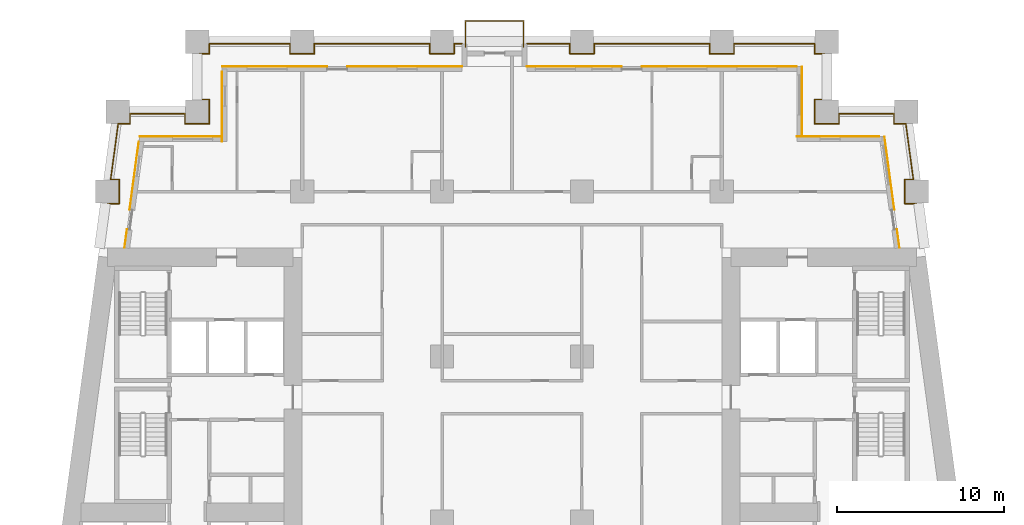
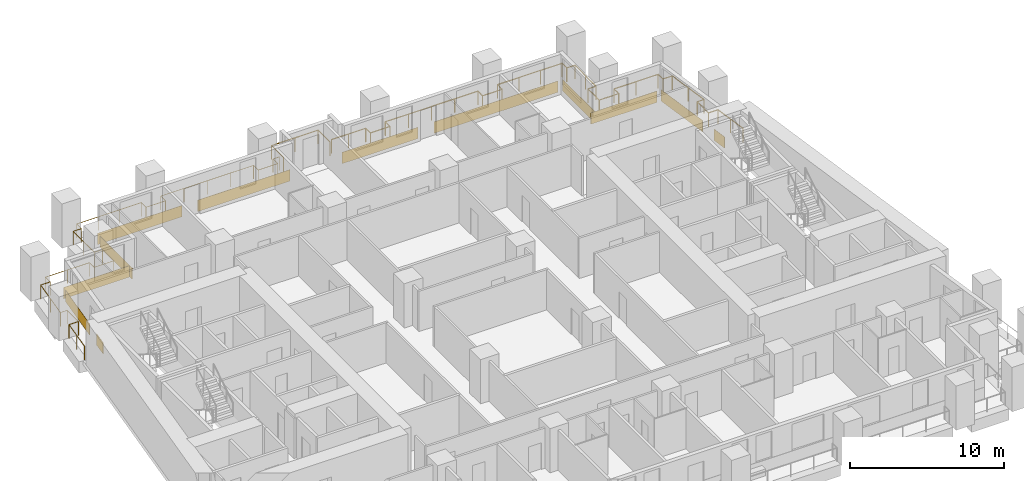
# One storey, part 11 of 12: 12 coverings, 3 railings.
"""IFC4 building model written with IfcOpenShell, lengths in metres."""

from ifc_helpers import new_model, si_unit, direction, frame, origin, origin_2d, place, context, subcontext, project, spatial, rectangle, circle, extrude, material, layer, layer_set, type_object, element, save


model = new_model("IFC4")

# Units and contexts
model_context = context("Model", 3, precision=1e-05, world=origin(), true_north=direction((0.0, 1.0)))
body_context = subcontext(model_context, "Body", "Model", "MODEL_VIEW")
ifc_project = project(units=[si_unit("LENGTHUNIT", "METRE"), si_unit("AREAUNIT", "SQUARE_METRE"), si_unit("VOLUMEUNIT", "CUBIC_METRE"), si_unit("PLANEANGLEUNIT", "RADIAN"), si_unit("MASSUNIT", "GRAM", prefix="KILO")], contexts=[model_context])

# Site, building, storey
site_placement = place(None, origin())
site = spatial("IfcSite", under=ifc_project, at=site_placement, CompositionType="ELEMENT")
building_placement = place(site_placement, origin())
building = spatial("IfcBuilding", under=site, at=building_placement, Name="Candeia Pilgrim Tower and Theatre", CompositionType="ELEMENT")
storey_placement = place(building_placement, frame((0.0, 0.0, 46.0)))
storey = spatial("IfcBuildingStorey", under=building, at=storey_placement, Name="L08", CompositionType="ELEMENT", Elevation=46.0)

# Railings
ifc_material_1 = material(Name="Stainless steel balustrade", Category="steel")
railing_type = type_object("IfcRailingType", Name="G1 loggia guard 1100", PredefinedType="GUARDRAIL", material=ifc_material_1)
railing_1_placement = place(storey_placement, frame((88.758544921875, 132.449951171875, 0.0)))
element("IfcRailing", 1, at=railing_1_placement, inside=storey, type_object=railing_type, Name="Guard L08.2", PredefinedType="GUARDRAIL", context=body_context, shape_type="SweptSolid", body=[
    extrude(circle(Radius=0.02392578125, at=origin_2d()), frame((0.0, 0.0, 1.076171875), z_axis=(0.133439920495, 0.991056904329, 0.0), x_axis=(-0.991056904329, 0.133439920495, 0.0)), (0.0, 0.0, 1.0), 2.643798828125),
    extrude(circle(Radius=0.02392578125, at=origin_2d()), frame((0.352783203125, 2.6201171875, 1.076171875), z_axis=(1.0, 0.0, 0.0), x_axis=(0.0, 1.0, 0.0)), (0.0, 0.0, 1.0), 0.70703125),
    extrude(circle(Radius=0.02392578125, at=origin_2d()), frame((1.059814453125, 2.6201171875, 1.076171875), z_axis=(0.0, 1.0, 0.0), x_axis=(-1.0, 0.0, 0.0)), (0.0, 0.0, 1.0), 1.4599609375),
    extrude(circle(Radius=0.02392578125, at=origin_2d()), frame((1.059814453125, 4.080078125, 1.076171875), z_axis=(-1.0, 0.0, 0.0), x_axis=(0.0, -1.0, 0.0)), (0.0, 0.0, 1.0), 0.510498046875),
    extrude(circle(Radius=0.02392578125, at=origin_2d()), frame((0.54931640625, 4.080078125, 1.076171875), z_axis=(0.133364121373, 0.991067107279, 0.0), x_axis=(-0.991067107279, 0.133364121373, 0.0)), (0.0, 0.0, 1.0), 3.3701171875),
    extrude(circle(Radius=0.02392578125, at=origin_2d()), frame((0.998779296875, 7.420166015625, 1.076171875), z_axis=(1.0, 0.0, 0.0), x_axis=(0.0, 1.0, 0.0)), (0.0, 0.0, 1.0), 0.707275390625),
    extrude(circle(Radius=0.02392578125, at=origin_2d()), frame((1.7060546875, 7.420166015625, 1.076171875), z_axis=(0.0, 1.0, 0.0), x_axis=(-1.0, 0.0, 0.0)), (0.0, 0.0, 1.0), 0.60986328125),
    extrude(circle(Radius=0.02392578125, at=origin_2d()), frame((1.7060546875, 8.030029296875, 1.076171875), z_axis=(1.0, 0.0, 0.0), x_axis=(0.0, 1.0, 0.0)), (0.0, 0.0, 1.0), 3.305419921875),
    extrude(circle(Radius=0.02392578125, at=origin_2d()), frame((5.011474609375, 8.030029296875, 1.076171875), z_axis=(0.0, -1.0, 0.0), x_axis=(1.0, 0.0, 0.0)), (0.0, 0.0, 1.0), 0.60986328125),
    extrude(circle(Radius=0.02392578125, at=origin_2d()), frame((5.011474609375, 7.420166015625, 1.076171875), z_axis=(1.0, 0.0, 0.0), x_axis=(0.0, 1.0, 0.0)), (0.0, 0.0, 1.0), 1.4599609375),
    extrude(circle(Radius=0.02392578125, at=origin_2d()), frame((6.471435546875, 7.420166015625, 1.076171875), z_axis=(0.0, 1.0, 0.0), x_axis=(-1.0, 0.0, 0.0)), (0.0, 0.0, 1.0), 1.4599609375),
    extrude(circle(Radius=0.02392578125, at=origin_2d()), frame((6.471435546875, 8.880126953125, 1.076171875), z_axis=(-1.0, 0.0, 0.0), x_axis=(0.0, -1.0, 0.0)), (0.0, 0.0, 1.0), 0.60986328125),
    extrude(circle(Radius=0.02392578125, at=origin_2d()), frame((5.861572265625, 8.880126953125, 1.076171875), z_axis=(0.0, 1.0, 0.0), x_axis=(-1.0, 0.0, 0.0)), (0.0, 0.0, 1.0), 2.739990234375),
    extrude(circle(Radius=0.02392578125, at=origin_2d()), frame((5.861572265625, 11.6201171875, 1.076171875), z_axis=(1.0, 0.0, 0.0), x_axis=(0.0, 1.0, 0.0)), (0.0, 0.0, 1.0), 0.60986328125),
    extrude(circle(Radius=0.02392578125, at=origin_2d()), frame((6.471435546875, 11.6201171875, 1.076171875), z_axis=(0.0, 1.0, 0.0), x_axis=(-1.0, 0.0, 0.0)), (0.0, 0.0, 1.0), 0.60986328125),
    extrude(circle(Radius=0.02392578125, at=origin_2d()), frame((6.471435546875, 12.22998046875, 1.076171875), z_axis=(1.0, 0.0, 0.0), x_axis=(0.0, 1.0, 0.0)), (0.0, 0.0, 1.0), 4.840087890625),
    extrude(circle(Radius=0.02392578125, at=origin_2d()), frame((11.3115234375, 12.22998046875, 1.076171875), z_axis=(0.0, -1.0, 0.0), x_axis=(1.0, 0.0, 0.0)), (0.0, 0.0, 1.0), 0.60986328125),
    extrude(circle(Radius=0.02392578125, at=origin_2d()), frame((11.3115234375, 11.6201171875, 1.076171875), z_axis=(1.0, 0.0, 0.0), x_axis=(0.0, 1.0, 0.0)), (0.0, 0.0, 1.0), 1.4599609375),
    extrude(circle(Radius=0.02392578125, at=origin_2d()), frame((12.771484375, 11.6201171875, 1.076171875), z_axis=(0.0, 1.0, 0.0), x_axis=(-1.0, 0.0, 0.0)), (0.0, 0.0, 1.0), 0.60986328125),
    extrude(circle(Radius=0.02392578125, at=origin_2d()), frame((12.771484375, 12.22998046875, 1.076171875), z_axis=(1.0, 0.0, 0.0), x_axis=(0.0, 1.0, 0.0)), (0.0, 0.0, 1.0), 6.93994140625),
    extrude(circle(Radius=0.02392578125, at=origin_2d()), frame((19.71142578125, 12.22998046875, 1.076171875), z_axis=(0.0, -1.0, 0.0), x_axis=(1.0, 0.0, 0.0)), (0.0, 0.0, 1.0), 0.60986328125),
    extrude(circle(Radius=0.02392578125, at=origin_2d()), frame((19.71142578125, 11.6201171875, 1.076171875), z_axis=(1.0, 0.0, 0.0), x_axis=(0.0, 1.0, 0.0)), (0.0, 0.0, 1.0), 1.4599609375),
    extrude(circle(Radius=0.02392578125, at=origin_2d()), frame((21.17138671875, 11.6201171875, 1.076171875), z_axis=(0.0, 1.0, 0.0), x_axis=(-1.0, 0.0, 0.0)), (0.0, 0.0, 1.0), 0.60986328125),
    extrude(circle(Radius=0.02392578125, at=origin_2d()), frame((21.17138671875, 12.22998046875, 1.076171875), z_axis=(1.0, 0.0, 0.0), x_axis=(0.0, 1.0, 0.0)), (0.0, 0.0, 1.0), 0.469970703125),
    extrude(circle(Radius=0.02099609375, at=origin_2d()), origin(), (0.0, 0.0, 1.0), 1.052001953125),
    extrude(circle(Radius=0.02099609375, at=origin_2d()), frame((0.17626953125, 1.31005859375, 0.0)), (0.0, 0.0, 1.0), 1.052001953125),
    extrude(circle(Radius=0.02099609375, at=origin_2d()), frame((0.352783203125, 2.6201171875, 0.0)), (0.0, 0.0, 1.0), 1.052001953125),
    extrude(circle(Radius=0.02099609375, at=origin_2d()), frame((1.059814453125, 2.6201171875, 0.0)), (0.0, 0.0, 1.0), 1.052001953125),
    extrude(circle(Radius=0.02099609375, at=origin_2d()), frame((1.059814453125, 4.080078125, 0.0)), (0.0, 0.0, 1.0), 1.052001953125),
    extrude(circle(Radius=0.02099609375, at=origin_2d()), frame((0.54931640625, 4.080078125, 0.0)), (0.0, 0.0, 1.0), 1.052001953125),
    extrude(circle(Radius=0.02099609375, at=origin_2d()), frame((0.77392578125, 5.75, 0.0)), (0.0, 0.0, 1.0), 1.052001953125),
    extrude(circle(Radius=0.02099609375, at=origin_2d()), frame((0.998779296875, 7.420166015625, 0.0)), (0.0, 0.0, 1.0), 1.052001953125),
    extrude(circle(Radius=0.02099609375, at=origin_2d()), frame((1.7060546875, 7.420166015625, 0.0)), (0.0, 0.0, 1.0), 1.052001953125),
    extrude(circle(Radius=0.02099609375, at=origin_2d()), frame((1.7060546875, 8.030029296875, 0.0)), (0.0, 0.0, 1.0), 1.052001953125),
    extrude(circle(Radius=0.02099609375, at=origin_2d()), frame((3.35888671875, 8.030029296875, 0.0)), (0.0, 0.0, 1.0), 1.052001953125),
    extrude(circle(Radius=0.02099609375, at=origin_2d()), frame((5.011474609375, 8.030029296875, 0.0)), (0.0, 0.0, 1.0), 1.052001953125),
    extrude(circle(Radius=0.02099609375, at=origin_2d()), frame((5.011474609375, 7.420166015625, 0.0)), (0.0, 0.0, 1.0), 1.052001953125),
    extrude(circle(Radius=0.02099609375, at=origin_2d()), frame((6.471435546875, 7.420166015625, 0.0)), (0.0, 0.0, 1.0), 1.052001953125),
    extrude(circle(Radius=0.02099609375, at=origin_2d()), frame((6.471435546875, 8.880126953125, 0.0)), (0.0, 0.0, 1.0), 1.052001953125),
    extrude(circle(Radius=0.02099609375, at=origin_2d()), frame((5.861572265625, 8.880126953125, 0.0)), (0.0, 0.0, 1.0), 1.052001953125),
    extrude(circle(Radius=0.02099609375, at=origin_2d()), frame((5.861572265625, 10.25, 0.0)), (0.0, 0.0, 1.0), 1.052001953125),
    extrude(circle(Radius=0.02099609375, at=origin_2d()), frame((5.861572265625, 11.6201171875, 0.0)), (0.0, 0.0, 1.0), 1.052001953125),
    extrude(circle(Radius=0.02099609375, at=origin_2d()), frame((6.471435546875, 11.6201171875, 0.0)), (0.0, 0.0, 1.0), 1.052001953125),
    extrude(circle(Radius=0.02099609375, at=origin_2d()), frame((6.471435546875, 12.22998046875, 0.0)), (0.0, 0.0, 1.0), 1.052001953125),
    extrude(circle(Radius=0.02099609375, at=origin_2d()), frame((8.084716796875, 12.22998046875, 0.0)), (0.0, 0.0, 1.0), 1.052001953125),
    extrude(circle(Radius=0.02099609375, at=origin_2d()), frame((9.6982421875, 12.22998046875, 0.0)), (0.0, 0.0, 1.0), 1.052001953125),
    extrude(circle(Radius=0.02099609375, at=origin_2d()), frame((11.3115234375, 12.22998046875, 0.0)), (0.0, 0.0, 1.0), 1.052001953125),
    extrude(circle(Radius=0.02099609375, at=origin_2d()), frame((11.3115234375, 11.6201171875, 0.0)), (0.0, 0.0, 1.0), 1.052001953125),
    extrude(circle(Radius=0.02099609375, at=origin_2d()), frame((12.771484375, 11.6201171875, 0.0)), (0.0, 0.0, 1.0), 1.052001953125),
    extrude(circle(Radius=0.02099609375, at=origin_2d()), frame((12.771484375, 12.22998046875, 0.0)), (0.0, 0.0, 1.0), 1.052001953125),
    extrude(circle(Radius=0.02099609375, at=origin_2d()), frame((14.50634765625, 12.22998046875, 0.0)), (0.0, 0.0, 1.0), 1.052001953125),
    extrude(circle(Radius=0.02099609375, at=origin_2d()), frame((16.241455078125, 12.22998046875, 0.0)), (0.0, 0.0, 1.0), 1.052001953125),
    extrude(circle(Radius=0.02099609375, at=origin_2d()), frame((17.9765625, 12.22998046875, 0.0)), (0.0, 0.0, 1.0), 1.052001953125),
    extrude(circle(Radius=0.02099609375, at=origin_2d()), frame((19.71142578125, 12.22998046875, 0.0)), (0.0, 0.0, 1.0), 1.052001953125),
    extrude(circle(Radius=0.02099609375, at=origin_2d()), frame((19.71142578125, 11.6201171875, 0.0)), (0.0, 0.0, 1.0), 1.052001953125),
    extrude(circle(Radius=0.02099609375, at=origin_2d()), frame((21.17138671875, 11.6201171875, 0.0)), (0.0, 0.0, 1.0), 1.052001953125),
    extrude(circle(Radius=0.02099609375, at=origin_2d()), frame((21.17138671875, 12.22998046875, 0.0)), (0.0, 0.0, 1.0), 1.052001953125),
    extrude(circle(Radius=0.02099609375, at=origin_2d()), frame((21.641357421875, 12.22998046875, 0.0)), (0.0, 0.0, 1.0), 1.052001953125),
])
railing_2_placement = place(storey_placement, frame((114.300048828125, 144.679931640625, 0.0)))
element("IfcRailing", 2, at=railing_2_placement, inside=storey, type_object=railing_type, Name="Guard L08.3", PredefinedType="GUARDRAIL", context=body_context, shape_type="SweptSolid", body=[
    extrude(circle(Radius=0.02392578125, at=origin_2d()), frame((0.0, 0.0, 1.076171875), z_axis=(1.0, 0.0, 0.0), x_axis=(0.0, 1.0, 0.0)), (0.0, 0.0, 1.0), 2.570068359375),
    extrude(circle(Radius=0.02392578125, at=origin_2d()), frame((2.570068359375, 0.0, 1.076171875), z_axis=(0.0, -1.0, 0.0), x_axis=(1.0, 0.0, 0.0)), (0.0, 0.0, 1.0), 0.60986328125),
    extrude(circle(Radius=0.02392578125, at=origin_2d()), frame((2.570068359375, -0.60986328125, 1.076171875), z_axis=(1.0, 0.0, 0.0), x_axis=(0.0, 1.0, 0.0)), (0.0, 0.0, 1.0), 1.4599609375),
    extrude(circle(Radius=0.02392578125, at=origin_2d()), frame((4.030029296875, -0.60986328125, 1.076171875), z_axis=(0.0, 1.0, 0.0), x_axis=(-1.0, 0.0, 0.0)), (0.0, 0.0, 1.0), 0.60986328125),
    extrude(circle(Radius=0.02392578125, at=origin_2d()), frame((4.030029296875, 0.0, 1.076171875), z_axis=(1.0, 0.0, 0.0), x_axis=(0.0, 1.0, 0.0)), (0.0, 0.0, 1.0), 6.93994140625),
    extrude(circle(Radius=0.02392578125, at=origin_2d()), frame((10.969970703125, 0.0, 1.076171875), z_axis=(0.0, -1.0, 0.0), x_axis=(1.0, 0.0, 0.0)), (0.0, 0.0, 1.0), 0.60986328125),
    extrude(circle(Radius=0.02392578125, at=origin_2d()), frame((10.969970703125, -0.60986328125, 1.076171875), z_axis=(1.0, 0.0, 0.0), x_axis=(0.0, 1.0, 0.0)), (0.0, 0.0, 1.0), 1.4599609375),
    extrude(circle(Radius=0.02392578125, at=origin_2d()), frame((12.429931640625, -0.60986328125, 1.076171875), z_axis=(0.0, 1.0, 0.0), x_axis=(-1.0, 0.0, 0.0)), (0.0, 0.0, 1.0), 0.60986328125),
    extrude(circle(Radius=0.02392578125, at=origin_2d()), frame((12.429931640625, 0.0, 1.076171875), z_axis=(1.0, 0.0, 0.0), x_axis=(0.0, 1.0, 0.0)), (0.0, 0.0, 1.0), 4.840087890625),
    extrude(circle(Radius=0.02392578125, at=origin_2d()), frame((17.27001953125, 0.0, 1.076171875), z_axis=(0.0, -1.0, 0.0), x_axis=(1.0, 0.0, 0.0)), (0.0, 0.0, 1.0), 0.60986328125),
    extrude(circle(Radius=0.02392578125, at=origin_2d()), frame((17.27001953125, -0.60986328125, 1.076171875), z_axis=(1.0, 0.0, 0.0), x_axis=(0.0, 1.0, 0.0)), (0.0, 0.0, 1.0), 0.60986328125),
    extrude(circle(Radius=0.02392578125, at=origin_2d()), frame((17.8798828125, -0.60986328125, 1.076171875), z_axis=(0.0, -1.0, 0.0), x_axis=(1.0, 0.0, 0.0)), (0.0, 0.0, 1.0), 2.739990234375),
    extrude(circle(Radius=0.02392578125, at=origin_2d()), frame((17.8798828125, -3.349853515625, 1.076171875), z_axis=(-1.0, 0.0, 0.0), x_axis=(0.0, -1.0, 0.0)), (0.0, 0.0, 1.0), 0.60986328125),
    extrude(circle(Radius=0.02392578125, at=origin_2d()), frame((17.27001953125, -3.349853515625, 1.076171875), z_axis=(0.0, -1.0, 0.0), x_axis=(1.0, 0.0, 0.0)), (0.0, 0.0, 1.0), 1.4599609375),
    extrude(circle(Radius=0.02392578125, at=origin_2d()), frame((17.27001953125, -4.809814453125, 1.076171875), z_axis=(1.0, 0.0, 0.0), x_axis=(0.0, 1.0, 0.0)), (0.0, 0.0, 1.0), 1.4599609375),
    extrude(circle(Radius=0.02392578125, at=origin_2d()), frame((18.72998046875, -4.809814453125, 1.076171875), z_axis=(0.0, 1.0, 0.0), x_axis=(-1.0, 0.0, 0.0)), (0.0, 0.0, 1.0), 0.60986328125),
    extrude(circle(Radius=0.02392578125, at=origin_2d()), frame((18.72998046875, -4.199951171875, 1.076171875), z_axis=(1.0, 0.0, 0.0), x_axis=(0.0, 1.0, 0.0)), (0.0, 0.0, 1.0), 3.305419921875),
    extrude(circle(Radius=0.02392578125, at=origin_2d()), frame((22.035400390625, -4.199951171875, 1.076171875), z_axis=(0.0, -1.0, 0.0), x_axis=(1.0, 0.0, 0.0)), (0.0, 0.0, 1.0), 0.60986328125),
    extrude(circle(Radius=0.02392578125, at=origin_2d()), frame((22.035400390625, -4.809814453125, 1.076171875), z_axis=(1.0, 0.0, 0.0), x_axis=(0.0, 1.0, 0.0)), (0.0, 0.0, 1.0), 0.70703125),
    extrude(circle(Radius=0.02392578125, at=origin_2d()), frame((22.742431640625, -4.809814453125, 1.076171875), z_axis=(0.133435273035, -0.991057530071, 0.0), x_axis=(0.991057530071, 0.133435273035, 0.0)), (0.0, 0.0, 1.0), 3.3701171875),
    extrude(circle(Radius=0.02392578125, at=origin_2d()), frame((23.192138671875, -8.14990234375, 1.076171875), z_axis=(-1.0, 0.0, 0.0), x_axis=(0.0, -1.0, 0.0)), (0.0, 0.0, 1.0), 0.5107421875),
    extrude(circle(Radius=0.02392578125, at=origin_2d()), frame((22.681396484375, -8.14990234375, 1.076171875), z_axis=(0.0, -1.0, 0.0), x_axis=(1.0, 0.0, 0.0)), (0.0, 0.0, 1.0), 1.4599609375),
    extrude(circle(Radius=0.02392578125, at=origin_2d()), frame((22.681396484375, -9.60986328125, 1.076171875), z_axis=(1.0, 0.0, 0.0), x_axis=(0.0, 1.0, 0.0)), (0.0, 0.0, 1.0), 0.707275390625),
    extrude(circle(Radius=0.02392578125, at=origin_2d()), frame((23.388671875, -9.60986328125, 1.076171875), z_axis=(0.133439920495, -0.991056904329, 0.0), x_axis=(0.991056904329, 0.133439920495, 0.0)), (0.0, 0.0, 1.0), 2.643798828125),
    extrude(circle(Radius=0.02099609375, at=origin_2d()), origin(), (0.0, 0.0, 1.0), 1.052001953125),
    extrude(circle(Radius=0.02099609375, at=origin_2d()), frame((1.28515625, 0.0, 0.0)), (0.0, 0.0, 1.0), 1.052001953125),
    extrude(circle(Radius=0.02099609375, at=origin_2d()), frame((2.570068359375, 0.0, 0.0)), (0.0, 0.0, 1.0), 1.052001953125),
    extrude(circle(Radius=0.02099609375, at=origin_2d()), frame((2.570068359375, -0.60986328125, 0.0)), (0.0, 0.0, 1.0), 1.052001953125),
    extrude(circle(Radius=0.02099609375, at=origin_2d()), frame((4.030029296875, -0.60986328125, 0.0)), (0.0, 0.0, 1.0), 1.052001953125),
    extrude(circle(Radius=0.02099609375, at=origin_2d()), frame((4.030029296875, 0.0, 0.0)), (0.0, 0.0, 1.0), 1.052001953125),
    extrude(circle(Radius=0.02099609375, at=origin_2d()), frame((5.76513671875, 0.0, 0.0)), (0.0, 0.0, 1.0), 1.052001953125),
    extrude(circle(Radius=0.02099609375, at=origin_2d()), frame((7.5, 0.0, 0.0)), (0.0, 0.0, 1.0), 1.052001953125),
    extrude(circle(Radius=0.02099609375, at=origin_2d()), frame((9.23486328125, 0.0, 0.0)), (0.0, 0.0, 1.0), 1.052001953125),
    extrude(circle(Radius=0.02099609375, at=origin_2d()), frame((10.969970703125, 0.0, 0.0)), (0.0, 0.0, 1.0), 1.052001953125),
    extrude(circle(Radius=0.02099609375, at=origin_2d()), frame((10.969970703125, -0.60986328125, 0.0)), (0.0, 0.0, 1.0), 1.052001953125),
    extrude(circle(Radius=0.02099609375, at=origin_2d()), frame((12.429931640625, -0.60986328125, 0.0)), (0.0, 0.0, 1.0), 1.052001953125),
    extrude(circle(Radius=0.02099609375, at=origin_2d()), frame((12.429931640625, 0.0, 0.0)), (0.0, 0.0, 1.0), 1.052001953125),
    extrude(circle(Radius=0.02099609375, at=origin_2d()), frame((14.043212890625, 0.0, 0.0)), (0.0, 0.0, 1.0), 1.052001953125),
    extrude(circle(Radius=0.02099609375, at=origin_2d()), frame((15.65673828125, 0.0, 0.0)), (0.0, 0.0, 1.0), 1.052001953125),
    extrude(circle(Radius=0.02099609375, at=origin_2d()), frame((17.27001953125, 0.0, 0.0)), (0.0, 0.0, 1.0), 1.052001953125),
    extrude(circle(Radius=0.02099609375, at=origin_2d()), frame((17.27001953125, -0.60986328125, 0.0)), (0.0, 0.0, 1.0), 1.052001953125),
    extrude(circle(Radius=0.02099609375, at=origin_2d()), frame((17.8798828125, -0.60986328125, 0.0)), (0.0, 0.0, 1.0), 1.052001953125),
    extrude(circle(Radius=0.02099609375, at=origin_2d()), frame((17.8798828125, -1.97998046875, 0.0)), (0.0, 0.0, 1.0), 1.052001953125),
    extrude(circle(Radius=0.02099609375, at=origin_2d()), frame((17.8798828125, -3.349853515625, 0.0)), (0.0, 0.0, 1.0), 1.052001953125),
    extrude(circle(Radius=0.02099609375, at=origin_2d()), frame((17.27001953125, -3.349853515625, 0.0)), (0.0, 0.0, 1.0), 1.052001953125),
    extrude(circle(Radius=0.02099609375, at=origin_2d()), frame((17.27001953125, -4.809814453125, 0.0)), (0.0, 0.0, 1.0), 1.052001953125),
    extrude(circle(Radius=0.02099609375, at=origin_2d()), frame((18.72998046875, -4.809814453125, 0.0)), (0.0, 0.0, 1.0), 1.052001953125),
    extrude(circle(Radius=0.02099609375, at=origin_2d()), frame((18.72998046875, -4.199951171875, 0.0)), (0.0, 0.0, 1.0), 1.052001953125),
    extrude(circle(Radius=0.02099609375, at=origin_2d()), frame((20.3828125, -4.199951171875, 0.0)), (0.0, 0.0, 1.0), 1.052001953125),
    extrude(circle(Radius=0.02099609375, at=origin_2d()), frame((22.035400390625, -4.199951171875, 0.0)), (0.0, 0.0, 1.0), 1.052001953125),
    extrude(circle(Radius=0.02099609375, at=origin_2d()), frame((22.035400390625, -4.809814453125, 0.0)), (0.0, 0.0, 1.0), 1.052001953125),
    extrude(circle(Radius=0.02099609375, at=origin_2d()), frame((22.742431640625, -4.809814453125, 0.0)), (0.0, 0.0, 1.0), 1.052001953125),
    extrude(circle(Radius=0.02099609375, at=origin_2d()), frame((22.96728515625, -6.47998046875, 0.0)), (0.0, 0.0, 1.0), 1.052001953125),
    extrude(circle(Radius=0.02099609375, at=origin_2d()), frame((23.192138671875, -8.14990234375, 0.0)), (0.0, 0.0, 1.0), 1.052001953125),
    extrude(circle(Radius=0.02099609375, at=origin_2d()), frame((22.681396484375, -8.14990234375, 0.0)), (0.0, 0.0, 1.0), 1.052001953125),
    extrude(circle(Radius=0.02099609375, at=origin_2d()), frame((22.681396484375, -9.60986328125, 0.0)), (0.0, 0.0, 1.0), 1.052001953125),
    extrude(circle(Radius=0.02099609375, at=origin_2d()), frame((23.388671875, -9.60986328125, 0.0)), (0.0, 0.0, 1.0), 1.052001953125),
    extrude(circle(Radius=0.02099609375, at=origin_2d()), frame((23.56494140625, -10.919921875, 0.0)), (0.0, 0.0, 1.0), 1.052001953125),
    extrude(circle(Radius=0.02099609375, at=origin_2d()), frame((23.741455078125, -12.22998046875, 0.0)), (0.0, 0.0, 1.0), 1.052001953125),
])
railing_3_placement = place(storey_placement, frame((110.610107421875, 144.5, 0.0)))
element("IfcRailing", 3, at=railing_3_placement, inside=storey, type_object=railing_type, Name="Balcony guard L08", PredefinedType="GUARDRAIL", context=body_context, shape_type="SweptSolid", body=[
    extrude(circle(Radius=0.02392578125, at=origin_2d()), frame((0.0, 0.0, 1.076171875), z_axis=(0.0, 1.0, 0.0), x_axis=(-1.0, 0.0, 0.0)), (0.0, 0.0, 1.0), 1.5400390625),
    extrude(circle(Radius=0.02392578125, at=origin_2d()), frame((0.0, 1.5400390625, 1.076171875), z_axis=(1.0, 0.0, 0.0), x_axis=(0.0, 1.0, 0.0)), (0.0, 0.0, 1.0), 3.47998046875),
    extrude(circle(Radius=0.02392578125, at=origin_2d()), frame((3.47998046875, 1.5400390625, 1.076171875), z_axis=(0.0, -1.0, 0.0), x_axis=(1.0, 0.0, 0.0)), (0.0, 0.0, 1.0), 1.5400390625),
    extrude(circle(Radius=0.02099609375, at=origin_2d()), origin(), (0.0, 0.0, 1.0), 1.052001953125),
    extrude(circle(Radius=0.02099609375, at=origin_2d()), frame((0.0, 1.5400390625, 0.0)), (0.0, 0.0, 1.0), 1.052001953125),
    extrude(circle(Radius=0.02099609375, at=origin_2d()), frame((1.739990234375, 1.5400390625, 0.0)), (0.0, 0.0, 1.0), 1.052001953125),
    extrude(circle(Radius=0.02099609375, at=origin_2d()), frame((3.47998046875, 1.5400390625, 0.0)), (0.0, 0.0, 1.0), 1.052001953125),
    extrude(circle(Radius=0.02099609375, at=origin_2d()), frame((3.47998046875, 0.0, 0.0)), (0.0, 0.0, 1.0), 1.052001953125),
])

# Coverings
ifc_material_2 = material(Name="Glazed ceramic tile deep red")
ifc_layer = layer(ifc_material_2, 0.02001953125)
ifc_layer_set = layer_set([ifc_layer], Name="Glazed ceramic tile deep red")
covering_type = type_object("IfcCoveringType", Name="Glazed ceramic tile deep red", PredefinedType="CLADDING", material=ifc_layer_set)
covering_1_placement = place(storey_placement, frame((136.588623046875, 132.97412109375, 0.0), z_axis=(0.0, 0.0, 1.0), x_axis=(-0.133412012145, 0.991060661622, 0.0)))
element("IfcCovering", 4, at=covering_1_placement, inside=storey, type_object=covering_type, Name="Tile cladding deep red L08", PredefinedType="CLADDING", context=body_context, shape_type="SweptSolid", body=[
    extrude(rectangle(XDim=1.115234375, YDim=0.02001953125, at=origin_2d()), origin(), (0.0, 0.0, 1.0), 0.89990234375),
])
covering_2_placement = place(storey_placement, frame((136.058837890625, 136.90869140625, 0.0), z_axis=(0.0, 0.0, 1.0), x_axis=(-0.133412012145, 0.991060661622, 0.0)))
element("IfcCovering", 5, at=covering_2_placement, inside=storey, type_object=covering_type, Name="Tile cladding deep red L08", PredefinedType="CLADDING", context=body_context, shape_type="SweptSolid", body=[
    extrude(rectangle(XDim=4.4248046875, YDim=0.02001953125, at=origin_2d()), origin(), (0.0, 0.0, 1.0), 0.89990234375),
])
covering_3_placement = place(storey_placement, frame((132.976318359375, 139.110107421875, 0.0), z_axis=(0.0, 0.0, 1.0), x_axis=(-1.0, 0.0, 0.0)))
element("IfcCovering", 6, at=covering_3_placement, inside=storey, type_object=covering_type, Name="Tile cladding deep red L08", PredefinedType="CLADDING", context=body_context, shape_type="SweptSolid", body=[
    extrude(rectangle(XDim=4.95263671875, YDim=0.02001953125, at=origin_2d()), origin(), (0.0, 0.0, 1.0), 0.89990234375),
])
covering_4_placement = place(storey_placement, frame((130.81005859375, 141.2099609375, 0.0), z_axis=(0.0, 0.0, 1.0), x_axis=(0.0, 1.0, 0.0)))
element("IfcCovering", 7, at=covering_4_placement, inside=storey, type_object=covering_type, Name="Tile cladding deep red L08", PredefinedType="CLADDING", context=body_context, shape_type="SweptSolid", body=[
    extrude(rectangle(XDim=4.179931640625, YDim=0.02001953125, at=origin_2d()), origin(), (0.0, 0.0, 1.0), 0.89990234375),
])
covering_5_placement = place(storey_placement, frame((125.840087890625, 143.31005859375, 0.0), z_axis=(0.0, 0.0, 1.0), x_axis=(-1.0, 0.0, 0.0)))
element("IfcCovering", 8, at=covering_5_placement, inside=storey, type_object=covering_type, Name="Tile cladding deep red L08", PredefinedType="CLADDING", context=body_context, shape_type="SweptSolid", body=[
    extrude(rectangle(XDim=9.280029296875, YDim=0.02001953125, at=origin_2d()), origin(), (0.0, 0.0, 1.0), 0.89990234375),
])
covering_6_placement = place(storey_placement, frame((117.14990234375, 143.31005859375, 0.0), z_axis=(0.0, 0.0, 1.0), x_axis=(-1.0, 0.0, 0.0)))
element("IfcCovering", 9, at=covering_6_placement, inside=storey, type_object=covering_type, Name="Tile cladding deep red L08", PredefinedType="CLADDING", context=body_context, shape_type="SweptSolid", body=[
    extrude(rectangle(XDim=5.699951171875, YDim=0.02001953125, at=origin_2d()), origin(), (0.0, 0.0, 1.0), 0.89990234375),
])
covering_7_placement = place(storey_placement, frame((106.949951171875, 143.31005859375, 0.0), z_axis=(0.0, 0.0, 1.0), x_axis=(-1.0, 0.0, 0.0)))
element("IfcCovering", 10, at=covering_7_placement, inside=storey, type_object=covering_type, Name="Tile cladding deep red L08", PredefinedType="CLADDING", context=body_context, shape_type="SweptSolid", body=[
    extrude(rectangle(XDim=6.89990234375, YDim=0.02001953125, at=origin_2d()), origin(), (0.0, 0.0, 1.0), 0.89990234375),
])
covering_8_placement = place(storey_placement, frame((99.14990234375, 143.31005859375, 0.0), z_axis=(0.0, 0.0, 1.0), x_axis=(-1.0, 0.0, 0.0)))
element("IfcCovering", 11, at=covering_8_placement, inside=storey, type_object=covering_type, Name="Tile cladding deep red L08", PredefinedType="CLADDING", context=body_context, shape_type="SweptSolid", body=[
    extrude(rectangle(XDim=6.300048828125, YDim=0.02001953125, at=origin_2d()), origin(), (0.0, 0.0, 1.0), 0.89990234375),
])
covering_9_placement = place(storey_placement, frame((95.989990234375, 140.889892578125, 0.0), z_axis=(0.0, 0.0, 1.0), x_axis=(0.0, -1.0, 0.0)))
element("IfcCovering", 12, at=covering_9_placement, inside=storey, type_object=covering_type, Name="Tile cladding deep red L08", PredefinedType="CLADDING", context=body_context, shape_type="SweptSolid", body=[
    extrude(rectangle(XDim=4.179931640625, YDim=0.02001953125, at=origin_2d()), origin(), (0.0, 0.0, 1.0), 0.89990234375),
])
covering_10_placement = place(storey_placement, frame((93.51318359375, 139.110107421875, 0.0), z_axis=(0.0, 0.0, 1.0), x_axis=(-1.0, 0.0, 0.0)))
element("IfcCovering", 13, at=covering_10_placement, inside=storey, type_object=covering_type, Name="Tile cladding deep red L08", PredefinedType="CLADDING", context=body_context, shape_type="SweptSolid", body=[
    extrude(rectangle(XDim=4.933837890625, YDim=0.02001953125, at=origin_2d()), origin(), (0.0, 0.0, 1.0), 0.89990234375),
])
covering_11_placement = place(storey_placement, frame((90.720947265625, 136.759521484375, 0.0), z_axis=(0.0, 0.0, 1.0), x_axis=(-0.133412012145, -0.991060661622, 0.0)))
element("IfcCovering", 14, at=covering_11_placement, inside=storey, type_object=covering_type, Name="Tile cladding deep red L08", PredefinedType="CLADDING", context=body_context, shape_type="SweptSolid", body=[
    extrude(rectangle(XDim=4.123779296875, YDim=0.02001953125, at=origin_2d()), origin(), (0.0, 0.0, 1.0), 0.89990234375),
])
covering_12_placement = place(storey_placement, frame((90.21142578125, 132.97412109375, 0.0), z_axis=(0.0, 0.0, 1.0), x_axis=(-0.133412012145, -0.991060661622, 0.0)))
element("IfcCovering", 15, at=covering_12_placement, inside=storey, type_object=covering_type, Name="Tile cladding deep red L08", PredefinedType="CLADDING", context=body_context, shape_type="SweptSolid", body=[
    extrude(rectangle(XDim=1.115234375, YDim=0.02001953125, at=origin_2d()), origin(), (0.0, 0.0, 1.0), 0.89990234375),
])

save(model, "model.ifc")
